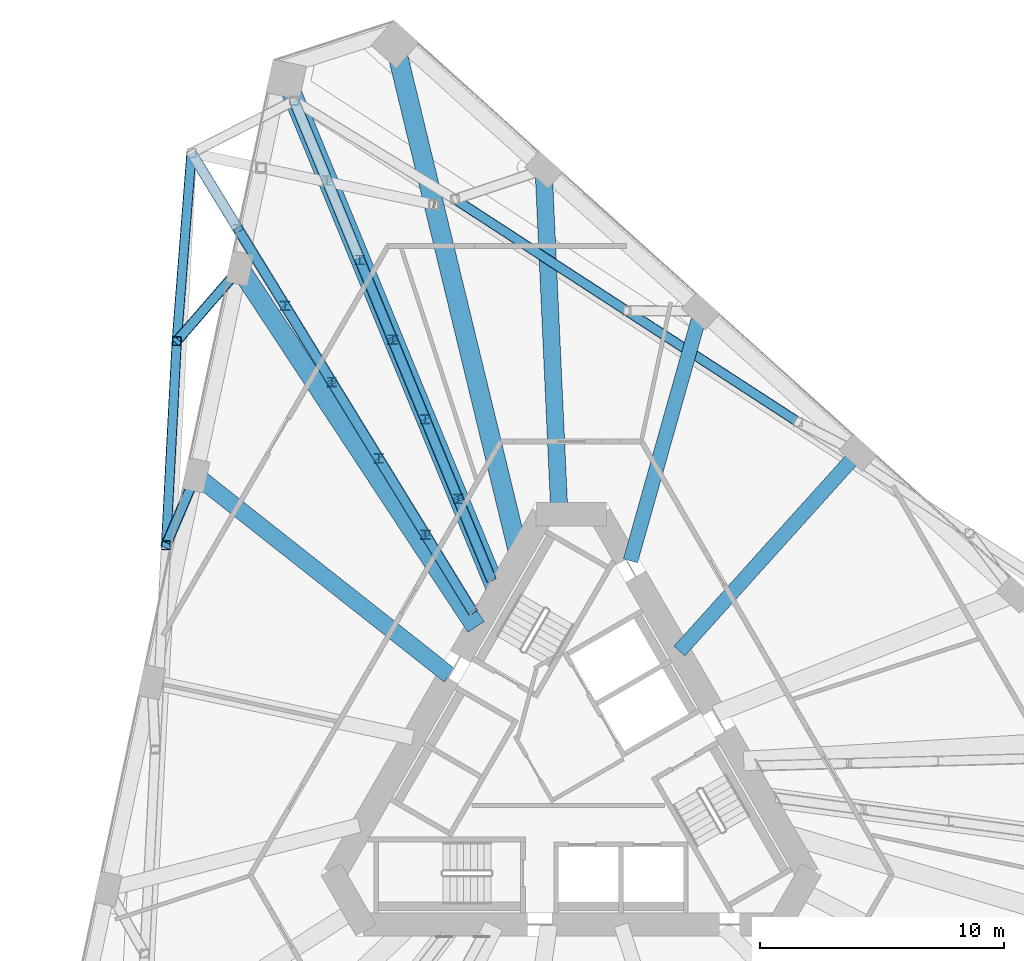
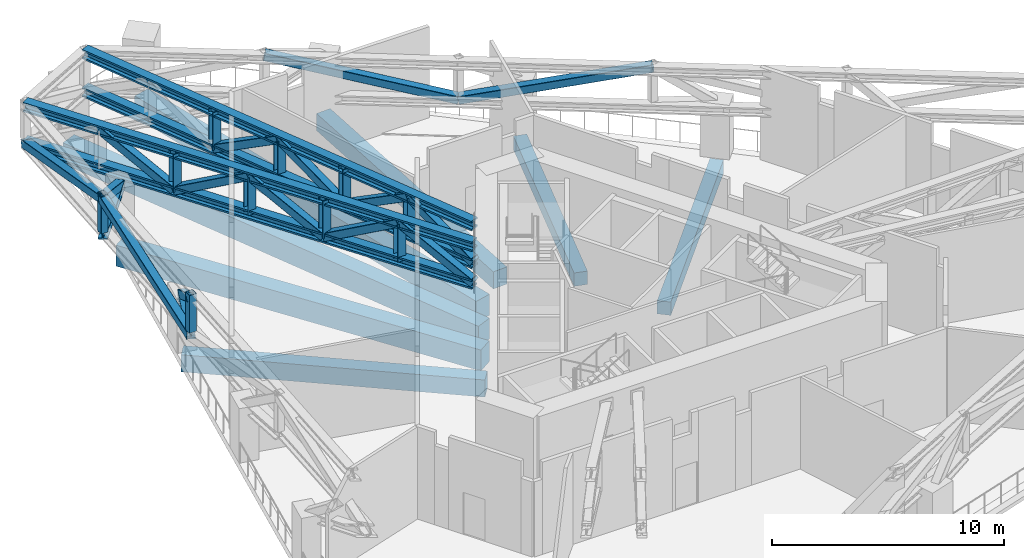
# One storey, part 11 of 24: 31 members, 7 beams.
"""IFC4 building model written with IfcOpenShell, lengths in metres."""

from ifc_helpers import new_model, si_unit, direction, frame, origin, origin_2d, place, context, subcontext, project, spatial, rectangle, hollow_rectangle, i_section, extrude, material, material_profile, profile_set, type_object, element, save


model = new_model("IFC4")

# Units and contexts
model_context = context("Model", 3, precision=1e-05, world=origin(), true_north=direction((0.0, 1.0)))
body_context = subcontext(model_context, "Body", "Model", "MODEL_VIEW")
ifc_project = project(units=[si_unit("LENGTHUNIT", "METRE"), si_unit("AREAUNIT", "SQUARE_METRE"), si_unit("VOLUMEUNIT", "CUBIC_METRE"), si_unit("PLANEANGLEUNIT", "RADIAN"), si_unit("MASSUNIT", "GRAM", prefix="KILO")], contexts=[model_context])

# Site, building, storey
site_placement = place(None, origin())
site = spatial("IfcSite", under=ifc_project, at=site_placement, CompositionType="ELEMENT")
building_placement = place(site_placement, origin())
building = spatial("IfcBuilding", under=site, at=building_placement, Name="Tramontana Tower", CompositionType="ELEMENT")
storey_placement = place(building_placement, frame((0.0, 0.0, 120.39990234375)))
storey = spatial("IfcBuildingStorey", under=building, at=storey_placement, Name="L27", CompositionType="ELEMENT", Elevation=120.39990234375)

# Members
ifc_material_1 = material(Name="Steel ASTM A500 Grade C", Category="steel")
ifc_material_profile_1 = material_profile(ifc_material_1, hollow_rectangle(XDim=0.355712890625, YDim=0.355712890625, WallThickness=0.01171875, InnerFilletRadius=0.01171875, OuterFilletRadius=0.023681640625, at=origin_2d()), Name="HSS14X14X1/2")
ifc_profile_set_1 = profile_set([ifc_material_profile_1], Name="Steel ASTM A500 Grade C")
member_type_1 = type_object("IfcMemberType", Name="Belt truss HSS14X14X1/2 post", PredefinedType="POST", material=ifc_profile_set_1)
for number, where, z_axis, x_axis, name in (
    (1, (-16.150390625, 17.612548828125, 2.86376953125), (0.0, 0.0, 1.0), (1.0, 0.0, 0.0), "Belt truss post C3F01"),
    (2, (-16.58837890625, 9.25244140625, 2.86376953125), (0.0, 0.0, 1.0), (1.0, 0.0, 0.0), "Belt truss post C3F02"),
):
    element("IfcMember", number, at=place(storey_placement, frame(where, z_axis=z_axis, x_axis=x_axis)), inside=storey, type_object=member_type_1, Name=name, PredefinedType="POST", context=body_context, shape_type="SweptSolid", body=[
        extrude(hollow_rectangle(XDim=0.355712890625, YDim=0.355712890625, WallThickness=0.01171875, InnerFilletRadius=0.01171875, OuterFilletRadius=0.023681640625, at=origin_2d()), origin(), (0.0, 0.0, 1.0), 1.986328125),
    ])
ifc_material_2 = material(Name="Steel ASTM A500 Grade C", Category="steel")
ifc_material_profile_2 = material_profile(ifc_material_2, hollow_rectangle(XDim=0.406494140625, YDim=0.406494140625, WallThickness=0.0146484375, InnerFilletRadius=0.0146484375, OuterFilletRadius=0.029541015625, at=origin_2d()), Name="HSS16X16X5/8")
ifc_profile_set_2 = profile_set([ifc_material_profile_2], Name="Steel ASTM A500 Grade C")
member_type_2 = type_object("IfcMemberType", Name="Belt truss HSS16X16X5/8 brace", PredefinedType="BRACE", material=ifc_profile_set_2)
member_1_placement = place(storey_placement, frame((-15.54638671875, 25.31298828125, 2.6318359375), z_axis=(-0.075732741703, -0.965515928072, 0.249085416021), x_axis=(0.99693789468, -0.078197405011, 0.0)))
element("IfcMember", 3, at=member_1_placement, inside=storey, type_object=member_type_2, Name="Belt truss diagonal S0.1", PredefinedType="BRACE", context=body_context, shape_type="SweptSolid", body=[
    extrude(hollow_rectangle(XDim=0.406494140625, YDim=0.406494140625, WallThickness=0.0146484375, InnerFilletRadius=0.0146484375, OuterFilletRadius=0.029541015625, at=origin_2d()), origin(), (0.0, 0.0, 1.0), 7.9755859375),
])
for number, where, z_axis, x_axis, name in (
    (4, (-16.150390625, 17.612548828125, 4.618408203125), (-0.050904889417, -0.971647786132, -0.230888007352), (0.998630448482, -0.052318518371, 0.0), "Belt truss diagonal S0.2"),
    (5, (9.2861328125, 14.29931640625, 4.618408203125), (-0.816005867799, 0.529929952953, -0.230886700963), (-0.54464593603, -0.838666086333, 0.0), "Belt truss diagonal S2.4"),
    (6, (2.26513671875, 18.85888671875, 2.6318359375), (-0.816018137798, 0.529909545983, 0.230890172726), (-0.544625423515, -0.8386794072, 0.0), "Belt truss diagonal S2.5"),
):
    element("IfcMember", number, at=place(storey_placement, frame(where, z_axis=z_axis, x_axis=x_axis)), inside=storey, type_object=member_type_2, Name=name, PredefinedType="BRACE", context=body_context, shape_type="SweptSolid", body=[
        extrude(hollow_rectangle(XDim=0.406494140625, YDim=0.406494140625, WallThickness=0.0146484375, InnerFilletRadius=0.0146484375, OuterFilletRadius=0.029541015625, at=origin_2d()), origin(), (0.0, 0.0, 1.0), 8.60400390625),
    ])
ifc_material_3 = material(Name="Steel ASTM A500 Grade C", Category="steel")
ifc_material_profile_3 = material_profile(ifc_material_3, hollow_rectangle(XDim=0.406494140625, YDim=0.406494140625, WallThickness=0.0146484375, InnerFilletRadius=0.0146484375, OuterFilletRadius=0.029541015625, at=origin_2d()), Name="HSS16X16X5/8")
ifc_profile_set_3 = profile_set([ifc_material_profile_3], Name="Steel ASTM A500 Grade C")
member_type_3 = type_object("IfcMemberType", Name="Outrigger truss HSS16X16X5/8 brace", PredefinedType="BRACE", material=ifc_profile_set_3)
for number, where, z_axis, x_axis, name in (
    (7, (-3.28515625, 7.889892578125, 2.6318359375), (-0.331687088071, 0.805663654368, 0.490805207426), (-0.924701036814, -0.380694093093, 0.0), "Outrigger truss diagonal 5.1"),
    (8, (-4.627685546875, 11.15087890625, 4.618408203125), (-0.331740768238, 0.805647534791, -0.490795387482), (-0.924676664755, -0.380753287127, 0.0), "Outrigger truss diagonal 5.2"),
    (9, (-5.970458984375, 14.411865234375, 2.6318359375), (-0.331687088071, 0.805663654368, 0.490805207426), (-0.924701036814, -0.380694093093, 0.0), "Outrigger truss diagonal 5.3"),
):
    element("IfcMember", number, at=place(storey_placement, frame(where, z_axis=z_axis, x_axis=x_axis)), inside=storey, type_object=member_type_3, Name=name, PredefinedType="BRACE", context=body_context, shape_type="SweptSolid", body=[
        extrude(hollow_rectangle(XDim=0.406494140625, YDim=0.406494140625, WallThickness=0.0146484375, InnerFilletRadius=0.0146484375, OuterFilletRadius=0.029541015625, at=origin_2d()), origin(), (0.0, 0.0, 1.0), 4.047607421875),
    ])
member_2_placement = place(storey_placement, frame((-7.31298828125, 17.6728515625, 4.618408203125), z_axis=(-0.331670970048, 0.805684818676, -0.490781357207), x_axis=(-0.924711069171, -0.380669723714, 0.0)))
element("IfcMember", 10, at=member_2_placement, inside=storey, type_object=member_type_3, Name="Outrigger truss diagonal 5.4", PredefinedType="BRACE", context=body_context, shape_type="SweptSolid", body=[
    extrude(hollow_rectangle(XDim=0.406494140625, YDim=0.406494140625, WallThickness=0.0146484375, InnerFilletRadius=0.0146484375, OuterFilletRadius=0.029541015625, at=origin_2d()), origin(), (0.0, 0.0, 1.0), 4.0478515625),
])
member_3_placement = place(storey_placement, frame((-4.05224609375, 6.561279296875, 2.6318359375), z_axis=(-0.459464832448, 0.749594594749, 0.476445181806), x_axis=(-0.852583066002, -0.522591729333, 0.0)))
element("IfcMember", 11, at=member_3_placement, inside=storey, type_object=member_type_3, Name="Outrigger truss diagonal 6.1", PredefinedType="BRACE", context=body_context, shape_type="SweptSolid", body=[
    extrude(hollow_rectangle(XDim=0.406494140625, YDim=0.406494140625, WallThickness=0.0146484375, InnerFilletRadius=0.0146484375, OuterFilletRadius=0.029541015625, at=origin_2d()), origin(), (0.0, 0.0, 1.0), 4.169677734375),
])
member_4_placement = place(storey_placement, frame((-5.968017578125, 9.686767578125, 4.618408203125), z_axis=(-0.459438804593, 0.749589107518, -0.4764789132), x_axis=(-0.852594551661, -0.522572990574, 0.0)))
element("IfcMember", 12, at=member_4_placement, inside=storey, type_object=member_type_3, Name="Outrigger truss diagonal 6.2", PredefinedType="BRACE", context=body_context, shape_type="SweptSolid", body=[
    extrude(hollow_rectangle(XDim=0.406494140625, YDim=0.406494140625, WallThickness=0.0146484375, InnerFilletRadius=0.0146484375, OuterFilletRadius=0.029541015625, at=origin_2d()), origin(), (0.0, 0.0, 1.0), 4.169189453125),
])
for number, where, z_axis, x_axis, name in (
    (13, (-7.883544921875, 12.81201171875, 2.6318359375), (-0.45948499934, 0.749568940557, 0.476466094002), (-0.852564876495, -0.522621403473, 0.0), "Outrigger truss diagonal 6.3"),
    (14, (-9.79931640625, 15.937255859375, 4.618408203125), (-0.45948499934, 0.749568940557, -0.476466094002), (-0.852564876495, -0.522621403473, 0.0), "Outrigger truss diagonal 6.4"),
    (15, (-11.715087890625, 19.0625, 2.6318359375), (-0.45948499934, 0.749568940557, 0.476466094002), (-0.852564876495, -0.522621403473, 0.0), "Outrigger truss diagonal 6.5"),
):
    element("IfcMember", number, at=place(storey_placement, frame(where, z_axis=z_axis, x_axis=x_axis)), inside=storey, type_object=member_type_3, Name=name, PredefinedType="BRACE", context=body_context, shape_type="SweptSolid", body=[
        extrude(hollow_rectangle(XDim=0.406494140625, YDim=0.406494140625, WallThickness=0.0146484375, InnerFilletRadius=0.0146484375, OuterFilletRadius=0.029541015625, at=origin_2d()), origin(), (0.0, 0.0, 1.0), 4.16943359375),
    ])
ifc_material_4 = material(Name="Steel ASTM A992 Grade 50", Category="steel")
ifc_material_profile_4 = material_profile(ifc_material_4, i_section(OverallWidth=0.39697265625, OverallDepth=0.387451171875, WebThickness=0.020751953125, FlangeThickness=0.033447265625, FilletRadius=0.01513671875, at=origin_2d()), Name="W14X176")
ifc_profile_set_4 = profile_set([ifc_material_profile_4], Name="Steel ASTM A992 Grade 50")
member_type_4 = type_object("IfcMemberType", Name="Outrigger truss W14X176 post", PredefinedType="POST", material=ifc_profile_set_4)
for number, where, z_axis, x_axis, name in (
    (16, (-4.627685546875, 11.15087890625, 2.6318359375), (0.0, 0.0, 1.0), (1.0, 0.0, 0.0), "Outrigger truss post 5.1"),
    (17, (-5.970458984375, 14.411865234375, 2.6318359375), (0.0, 0.0, 1.0), (1.0, 0.0, 0.0), "Outrigger truss post 5.2"),
    (18, (-7.31298828125, 17.6728515625, 2.6318359375), (0.0, 0.0, 1.0), (1.0, 0.0, 0.0), "Outrigger truss post 5.3"),
    (19, (-8.655517578125, 20.93408203125, 2.6318359375), (0.0, 0.0, 1.0), (1.0, 0.0, 0.0), "Outrigger truss post 5.4"),
    (20, (-5.968017578125, 9.686767578125, 2.6318359375), (0.0, 0.0, 1.0), (1.0, 0.0, 0.0), "Outrigger truss post 6.1"),
    (21, (-7.883544921875, 12.81201171875, 2.6318359375), (0.0, 0.0, 1.0), (1.0, 0.0, 0.0), "Outrigger truss post 6.2"),
    (22, (-9.79931640625, 15.937255859375, 2.6318359375), (0.0, 0.0, 1.0), (1.0, 0.0, 0.0), "Outrigger truss post 6.3"),
    (23, (-11.715087890625, 19.0625, 2.6318359375), (0.0, 0.0, 1.0), (1.0, 0.0, 0.0), "Outrigger truss post 6.4"),
):
    element("IfcMember", number, at=place(storey_placement, frame(where, z_axis=z_axis, x_axis=x_axis)), inside=storey, type_object=member_type_4, Name=name, PredefinedType="POST", context=body_context, shape_type="SweptSolid", body=[
        extrude(i_section(OverallWidth=0.39697265625, OverallDepth=0.387451171875, WebThickness=0.020751953125, FlangeThickness=0.033447265625, FilletRadius=0.01513671875, at=origin_2d()), origin(), (0.0, 0.0, 1.0), 1.986572265625),
    ])
ifc_material_5 = material(Name="Steel ASTM A992 Grade 50", Category="steel")
ifc_material_profile_5 = material_profile(ifc_material_5, i_section(OverallWidth=0.431884765625, OverallDepth=0.49853515625, WebThickness=0.0556640625, FlangeThickness=0.0888671875, FilletRadius=0.01513671875, at=origin_2d()), Name="W14X500")
ifc_profile_set_5 = profile_set([ifc_material_profile_5], Name="Steel ASTM A992 Grade 50")
member_type_5 = type_object("IfcMemberType", Name="Outrigger truss W14X500 chord", PredefinedType="CHORD", material=ifc_profile_set_5)
for number, where, z_axis, x_axis, name in (
    (24, (-3.28515625, 7.889892578125, 2.6318359375), (-0.380709763057, 0.924694585424, 0.0), (-0.924694585424, -0.380709763057, 0.0), "Outrigger truss bottom chord 5"),
    (25, (-3.28515625, 7.889892578125, 4.618408203125), (-0.380709763057, 0.924694585424, 0.0), (-0.924694585424, -0.380709763057, 0.0), "Outrigger truss top chord 5"),
):
    element("IfcMember", number, at=place(storey_placement, frame(where, z_axis=z_axis, x_axis=x_axis)), inside=storey, type_object=member_type_5, Name=name, PredefinedType="CHORD", context=body_context, shape_type="SweptSolid", body=[
        extrude(i_section(OverallWidth=0.431884765625, OverallDepth=0.49853515625, WebThickness=0.0556640625, FlangeThickness=0.0888671875, FilletRadius=0.01513671875, at=origin_2d()), origin(), (0.0, 0.0, 1.0), 21.15966796875),
    ])
for number, where, z_axis, x_axis, name in (
    (26, (-4.05224609375, 6.561279296875, 2.6318359375), (-0.522600320559, 0.85257779994, 0.0), (-0.85257779994, -0.522600320559, 0.0), "Outrigger truss bottom chord 6"),
    (27, (-4.05224609375, 6.561279296875, 4.618408203125), (-0.522600320559, 0.85257779994, 0.0), (-0.85257779994, -0.522600320559, 0.0), "Outrigger truss top chord 6"),
):
    element("IfcMember", number, at=place(storey_placement, frame(where, z_axis=z_axis, x_axis=x_axis)), inside=storey, type_object=member_type_5, Name=name, PredefinedType="CHORD", context=body_context, shape_type="SweptSolid", body=[
        extrude(i_section(OverallWidth=0.431884765625, OverallDepth=0.49853515625, WebThickness=0.0556640625, FlangeThickness=0.0888671875, FilletRadius=0.01513671875, at=origin_2d()), origin(), (0.0, 0.0, 1.0), 21.994140625),
    ])

# Beams
ifc_material_6 = material(Name="Concrete 40 MPa", Category="concrete")
ifc_material_profile_6 = material_profile(ifc_material_6, rectangle(XDim=0.60009765625, YDim=0.699951171875, at=origin_2d()), Name="RC GIRDER 600X700 40 MPa")
ifc_profile_set_6 = profile_set([ifc_material_profile_6], Name="Concrete 40 MPa")
beam_type_1 = type_object("IfcBeamType", Name="RC GIRDER 600X700 40 MPa", PredefinedType="BEAM", material=ifc_profile_set_6)
beam_1_placement = place(storey_placement, frame((11.7431640625, 13.042236328125, -0.699951171875), z_axis=(-0.669128882364, -0.743146377766, 0.0), x_axis=(0.743146377766, -0.669128882364, 0.0)))
element("IfcBeam", 28, at=beam_1_placement, inside=storey, type_object=beam_type_1, Name="Radial girder C2F13 L27", PredefinedType="BEAM", context=body_context, shape_type="SweptSolid", body=[
    extrude(rectangle(XDim=0.60009765625, YDim=0.699951171875, at=origin_2d()), origin(), (0.0, 0.0, 1.0), 10.927734375),
])
beam_2_placement = place(storey_placement, frame((5.307373046875, 18.8369140625, -0.699951171875), z_axis=(-0.271184951147, -0.962527257937, 0.0), x_axis=(0.962527257937, -0.271184951147, 0.0)))
element("IfcBeam", 29, at=beam_2_placement, inside=storey, type_object=beam_type_1, Name="Radial girder C2F14 L27", PredefinedType="BEAM", context=body_context, shape_type="SweptSolid", body=[
    extrude(rectangle(XDim=0.60009765625, YDim=0.699951171875, at=origin_2d()), origin(), (0.0, 0.0, 1.0), 10.61962890625),
])
ifc_material_7 = material(Name="Concrete 40 MPa", Category="concrete")
ifc_material_profile_7 = material_profile(ifc_material_7, rectangle(XDim=0.699951171875, YDim=0.89990234375, at=origin_2d()), Name="RC GIRDER 700X900 40 MPa")
ifc_profile_set_7 = profile_set([ifc_material_profile_7], Name="Concrete 40 MPa")
beam_type_2 = type_object("IfcBeamType", Name="RC GIRDER 700X900 40 MPa", PredefinedType="BEAM", material=ifc_profile_set_7)
beam_3_placement = place(storey_placement, frame((-15.365966796875, 12.119873046875, -0.7998046875), z_axis=(0.785161962565, -0.619290475093, 0.0), x_axis=(0.619290475093, 0.785161962565, 0.0)))
element("IfcBeam", 30, at=beam_3_placement, inside=storey, type_object=beam_type_2, Name="Radial girder C2F02 L27", PredefinedType="BEAM", context=body_context, shape_type="SweptSolid", body=[
    extrude(rectangle(XDim=0.699951171875, YDim=0.89990234375, at=origin_2d()), origin(), (0.0, 0.0, 1.0), 13.224609375),
])
beam_4_placement = place(storey_placement, frame((-1.12841796875, 24.6318359375, -0.7998046875), z_axis=(0.045763702309, -0.99895229293, 0.0), x_axis=(0.99895229293, 0.045763702309, 0.0)))
element("IfcBeam", 31, at=beam_4_placement, inside=storey, type_object=beam_type_2, Name="Radial girder C2F15 L27", PredefinedType="BEAM", context=body_context, shape_type="SweptSolid", body=[
    extrude(rectangle(XDim=0.699951171875, YDim=0.89990234375, at=origin_2d()), origin(), (0.0, 0.0, 1.0), 14.121337890625),
])
ifc_material_8 = material(Name="Concrete 40 MPa", Category="concrete")
ifc_material_profile_8 = material_profile(ifc_material_8, rectangle(XDim=0.800048828125, YDim=1.10009765625, at=origin_2d()), Name="RC GIRDER 800X1100 40 MPa")
ifc_profile_set_8 = profile_set([ifc_material_profile_8], Name="Concrete 40 MPa")
beam_type_3 = type_object("IfcBeamType", Name="RC GIRDER 800X1100 40 MPa", PredefinedType="BEAM", material=ifc_profile_set_8)
beam_5_placement = place(storey_placement, frame((-11.665771484375, 28.3251953125, -0.89990234375), z_axis=(0.380819934235, -0.924649218725, 0.0), x_axis=(0.924649218725, 0.380819934235, 0.0)))
element("IfcBeam", 32, at=beam_5_placement, inside=storey, type_object=beam_type_3, Name="Radial girder C2K1 L27", PredefinedType="BEAM", context=body_context, shape_type="SweptSolid", body=[
    extrude(rectangle(XDim=0.800048828125, YDim=1.10009765625, at=origin_2d()), origin(), (0.0, 0.0, 1.0), 22.5869140625),
])
beam_6_placement = place(storey_placement, frame((-13.5654296875, 20.5908203125, -0.89990234375), z_axis=(0.550154503281, -0.835062885368, 0.0), x_axis=(0.835062885368, 0.550154503281, 0.0)))
element("IfcBeam", 33, at=beam_6_placement, inside=storey, type_object=beam_type_3, Name="Radial girder C2F01 L27", PredefinedType="BEAM", context=body_context, shape_type="SweptSolid", body=[
    extrude(rectangle(XDim=0.800048828125, YDim=1.10009765625, at=origin_2d()), origin(), (0.0, 0.0, 1.0), 17.58203125),
])
beam_7_placement = place(storey_placement, frame((-7.211181640625, 29.7724609375, -0.89990234375), z_axis=(0.235403401789, -0.971897751014, 0.0), x_axis=(0.971897751014, 0.235403401789, 0.0)))
element("IfcBeam", 34, at=beam_7_placement, inside=storey, type_object=beam_type_3, Name="Radial girder C2K6 L27", PredefinedType="BEAM", context=body_context, shape_type="SweptSolid", body=[
    extrude(rectangle(XDim=0.800048828125, YDim=1.10009765625, at=origin_2d()), origin(), (0.0, 0.0, 1.0), 21.322998046875),
])

# Members
ifc_material_9 = material(Name="Steel ASTM A500 Grade C", Category="steel")
ifc_material_profile_9 = material_profile(ifc_material_9, hollow_rectangle(XDim=0.406494140625, YDim=0.406494140625, WallThickness=0.0146484375, InnerFilletRadius=0.0146484375, OuterFilletRadius=0.029541015625, at=origin_2d()), Name="HSS16X16X5/8")
ifc_profile_set_9 = profile_set([ifc_material_profile_9], Name="Steel ASTM A500 Grade C")
member_type_6 = type_object("IfcMemberType", Name="Transfer truss HSS16X16X5/8 brace", PredefinedType="BRACE", material=ifc_profile_set_9)
member_5_placement = place(storey_placement, frame((-13.5654296875, 20.5908203125, 2.6318359375), z_axis=(-0.585399493783, -0.674470006107, 0.449886256225), x_axis=(0.755212947593, -0.65547952202, 0.0)))
element("IfcMember", 35, at=member_5_placement, inside=storey, type_object=member_type_6, Name="Transfer truss strut C3F01 diagonal", PredefinedType="BRACE", context=body_context, shape_type="SweptSolid", body=[
    extrude(hollow_rectangle(XDim=0.406494140625, YDim=0.406494140625, WallThickness=0.0146484375, InnerFilletRadius=0.0146484375, OuterFilletRadius=0.029541015625, at=origin_2d()), origin(), (0.0, 0.0, 1.0), 4.415771484375),
])
member_6_placement = place(storey_placement, frame((-15.365966796875, 12.119873046875, 2.6318359375), z_axis=(-0.330708838596, -0.775749013243, 0.53744314353), x_axis=(0.91989686414, -0.392160374521, 0.0)))
element("IfcMember", 36, at=member_6_placement, inside=storey, type_object=member_type_6, Name="Transfer truss strut C3F02 diagonal", PredefinedType="BRACE", context=body_context, shape_type="SweptSolid", body=[
    extrude(hollow_rectangle(XDim=0.406494140625, YDim=0.406494140625, WallThickness=0.0146484375, InnerFilletRadius=0.0146484375, OuterFilletRadius=0.029541015625, at=origin_2d()), origin(), (0.0, 0.0, 1.0), 3.6962890625),
])
ifc_material_10 = material(Name="Steel ASTM A992 Grade 50", Category="steel")
ifc_material_profile_10 = material_profile(ifc_material_10, i_section(OverallWidth=0.42236328125, OverallDepth=0.463623046875, WebThickness=0.04443359375, FlangeThickness=0.072998046875, FilletRadius=0.014892578125, at=origin_2d()), Name="W14X398")
ifc_profile_set_10 = profile_set([ifc_material_profile_10], Name="Steel ASTM A992 Grade 50")
member_type_7 = type_object("IfcMemberType", Name="Transfer truss W14X398 strut", PredefinedType="STRUT", material=ifc_profile_set_10)
member_7_placement = place(storey_placement, frame((-13.5654296875, 20.5908203125, 2.6318359375), z_axis=(-0.65547952202, -0.755212947593, 0.0), x_axis=(0.755212947593, -0.65547952202, 0.0)))
element("IfcMember", 37, at=member_7_placement, inside=storey, type_object=member_type_7, Name="Transfer truss strut C3F01 bottom", PredefinedType="STRUT", context=body_context, shape_type="SweptSolid", body=[
    extrude(i_section(OverallWidth=0.42236328125, OverallDepth=0.463623046875, WebThickness=0.04443359375, FlangeThickness=0.072998046875, FilletRadius=0.014892578125, at=origin_2d()), origin(), (0.0, 0.0, 1.0), 3.943603515625),
])
member_8_placement = place(storey_placement, frame((-15.365966796875, 12.119873046875, 2.6318359375), z_axis=(-0.392160374521, -0.91989686414, 0.0), x_axis=(0.91989686414, -0.392160374521, 0.0)))
element("IfcMember", 38, at=member_8_placement, inside=storey, type_object=member_type_7, Name="Transfer truss strut C3F02 bottom", PredefinedType="STRUT", context=body_context, shape_type="SweptSolid", body=[
    extrude(i_section(OverallWidth=0.42236328125, OverallDepth=0.463623046875, WebThickness=0.04443359375, FlangeThickness=0.072998046875, FilletRadius=0.014892578125, at=origin_2d()), origin(), (0.0, 0.0, 1.0), 3.1171875),
])

save(model, "model.ifc")
